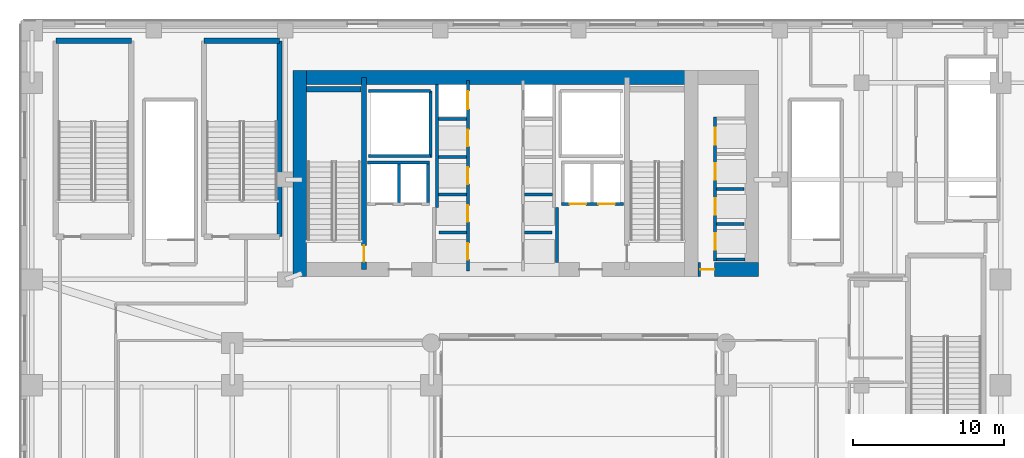
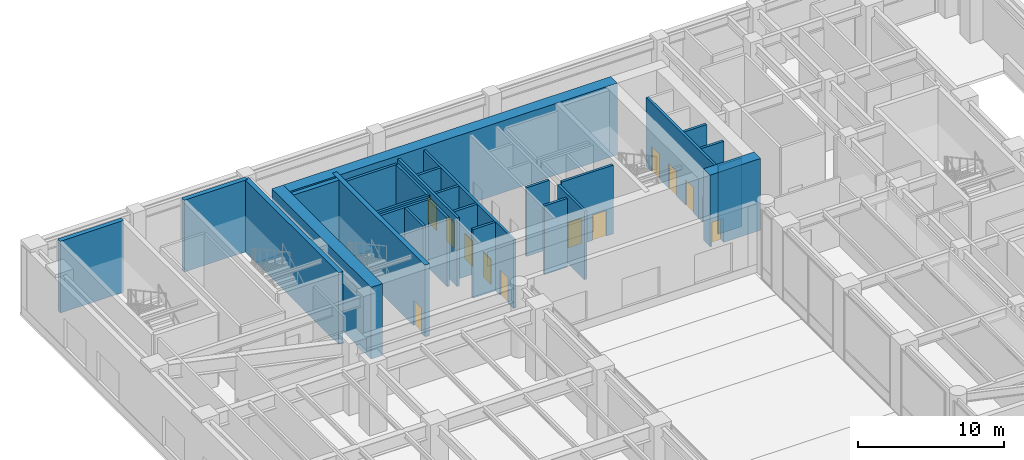
# One storey, part 15 of 28: 28 walls, 13 doors, 13 openings.
"""IFC4 building model written with IfcOpenShell, lengths in metres."""

from ifc_helpers import new_model, si_unit, direction, frame, frame_2d, origin, place, context, subcontext, project, spatial, rectangle, extrude, source, transform, mapped, material, layer, layer_set, type_object, type_shapes, element, fill, save


model = new_model("IFC4")

# Units and contexts
model_context = context("Model", 3, precision=1e-05, world=origin(), true_north=direction((0.0, 1.0)))
body_context = subcontext(model_context, "Body", "Model", "MODEL_VIEW")
ifc_project = project(units=[si_unit("LENGTHUNIT", "METRE"), si_unit("AREAUNIT", "SQUARE_METRE"), si_unit("VOLUMEUNIT", "CUBIC_METRE"), si_unit("PLANEANGLEUNIT", "RADIAN"), si_unit("MASSUNIT", "GRAM", prefix="KILO")], contexts=[model_context])

# Site, building, storey
site_placement = place(None, origin())
site = spatial("IfcSite", under=ifc_project, at=site_placement, CompositionType="ELEMENT")
building_placement = place(site_placement, origin())
building = spatial("IfcBuilding", under=site, at=building_placement, Name="Tolvann Quenvar Hotel", CompositionType="ELEMENT")
storey_placement = place(building_placement, origin())
storey = spatial("IfcBuildingStorey", under=building, at=storey_placement, Name="L00", CompositionType="ELEMENT", Elevation=0.0)

# Walls
ifc_material_1 = material(Name="Concrete S80 (80 MPa)", Category="concrete")
ifc_layer_1 = layer(ifc_material_1, 0.89990234375)
ifc_layer_set_1 = layer_set([ifc_layer_1], Name="Concrete S80 (80 MPa)")
wall_type_1 = type_object("IfcWallType", Name="WALL_CORE_900", PredefinedType="SHEAR", material=ifc_layer_set_1)
wall_1_placement = place(storey_placement, frame((9.60009765625, 44.75, 0.0), z_axis=(0.0, 0.0, 1.0), x_axis=(1.0, 0.0, 0.0)))
element("IfcWall", 1, at=wall_1_placement, inside=storey, type_object=wall_type_1, Name="Rear Core N Shear Wall (L00)", PredefinedType="SHEAR", context=body_context, shape_type="SweptSolid", body=[
    extrude(rectangle(XDim=26.7998046875, YDim=0.89990234375, at=frame_2d((13.39990234375, 0.0))), origin(), (0.0, 0.0, 1.0), 6.0),
])
wall_2_placement = place(storey_placement, frame((10.050048828125, 31.60009765625, 0.0), z_axis=(0.0, 0.0, 1.0), x_axis=(0.0, 1.0, 0.0)))
element("IfcWall", 2, at=wall_2_placement, inside=storey, type_object=wall_type_1, Name="Rear Core W Shear Wall (L00)", PredefinedType="SHEAR", context=body_context, shape_type="SweptSolid", body=[
    extrude(rectangle(XDim=13.599853515625, YDim=0.89990234375, at=frame_2d((6.7998046875, 0.0))), origin(), (0.0, 0.0, 1.0), 6.0),
])

# Wall, opening, door
wall_3_placement = place(storey_placement, frame((36.39990234375, 32.050048828125, 0.0), z_axis=(0.0, 0.0, 1.0), x_axis=(1.0, 0.0, 0.0)))
wall_3 = element("IfcWall", 3, at=wall_3_placement, inside=storey, type_object=wall_type_1, Name="Core East Annex Shear Wall ANN-S (L00)", PredefinedType="SHEAR", context=body_context, shape_type="SweptSolid", body=[
    extrude(rectangle(XDim=4.0, YDim=0.89990234375, at=frame_2d((2.0, 0.0))), origin(), (0.0, 0.0, 1.0), 6.0),
])
opening_1_placement = place(wall_3_placement, frame((1.06982421875, 0.0, 0.0), z_axis=(0.0, 0.0, 1.0), x_axis=(-1.0, 0.0, 0.0)))
opening_1 = element("IfcOpeningElement", 4, at=opening_1_placement, cuts=wall_3, Name="Opening WD-01", PredefinedType="OPENING", context=body_context, shape_type="SweptSolid", body=[
    extrude(rectangle(XDim=0.919921875, YDim=2.010009765625, at=frame_2d((0.4599609375, 1.0048828125))), frame((0.0, 0.4599609375, 0.0), z_axis=(0.0, -1.0, 0.0), x_axis=(1.0, 0.0, 0.0)), (0.0, 0.0, 1.0), 0.919921875),
])
ifc_material_2 = material(Name="Solid-core American oak acoustic fire door leaf in steel frame", Category="steel")
door_type_1 = type_object("IfcDoorType", Name="DOOR_WC_920", OperationType="NOTDEFINED", PredefinedType="DOOR", material=ifc_material_2)
shared_shape_1 = source(origin(), body_context, "Body", "SweptSolid", [
    extrude(rectangle(XDim=0.919921875, YDim=2.010009765625, at=frame_2d((0.4599609375, 1.0048828125))), frame((0.0, 0.02490234375, 0.0), z_axis=(0.0, -1.0, 0.0), x_axis=(1.0, 0.0, 0.0)), (0.0, 0.0, 1.0), 0.050048828125),
])
type_shapes(door_type_1, [shared_shape_1])
door_1_placement = place(opening_1_placement, origin())
door_1 = element("IfcDoor", 5, at=door_1_placement, inside=storey, type_object=door_type_1, Name="Low-Rise Lift Lobby Fire Door (L00)", OperationType="SINGLE_SWING_RIGHT", OverallHeight=2.010009765625, OverallWidth=0.919921875, PredefinedType="DOOR", context=body_context, shape_type="MappedRepresentation", body=[
    mapped(shared_shape_1, transform((0.0, 0.0, 0.0), x_axis=(1.0, 0.0, 0.0), y_axis=(0.0, 1.0, 0.0), z_axis=(0.0, 0.0, 1.0), scale=1.0)),
])
fill(opening_1, door_1)

ifc_material_3 = material(Name="Concrete S65 (65 MPa)", Category="concrete")
ifc_layer_2 = layer(ifc_material_3, 0.35009765625)
ifc_layer_set_2 = layer_set([ifc_layer_2], Name="Concrete S65 (65 MPa)")
wall_type_2 = type_object("IfcWallType", Name="WALL_CORE_INT_350", PredefinedType="SHEAR", material=ifc_layer_set_2)
wall_4_placement = place(storey_placement, frame((14.300048828125, 32.050048828125, 0.0), z_axis=(0.0, 0.0, 1.0), x_axis=(0.0, 1.0, 0.0)))
wall_4 = element("IfcWall", 6, at=wall_4_placement, inside=storey, type_object=wall_type_2, Name="Core Internal Web Shear Wall WEB-W (L00)", PredefinedType="SHEAR", context=body_context, shape_type="SweptSolid", body=[
    extrude(rectangle(XDim=12.699951171875, YDim=0.35009765625, at=frame_2d((6.35009765625, 0.0))), origin(), (0.0, 0.0, 1.0), 6.0),
])
opening_2_placement = place(wall_4_placement, frame((1.60009765625, 0.0, 0.0), z_axis=(0.0, 0.0, 1.0), x_axis=(-1.0, 0.0, 0.0)))
opening_2 = element("IfcOpeningElement", 7, at=opening_2_placement, cuts=wall_4, Name="Opening FD-120", PredefinedType="OPENING", context=body_context, shape_type="SweptSolid", body=[
    extrude(rectangle(XDim=1.10009765625, YDim=2.1201171875, at=frame_2d((0.550048828125, 1.06005859375))), frame((0.0, 0.18505859375, 0.0), z_axis=(0.0, -1.0, 0.0), x_axis=(1.0, 0.0, 0.0)), (0.0, 0.0, 1.0), 0.3701171875),
])
ifc_material_4 = material(Name="Pressed galvanised steel fire-rated door set", Category="steel")
door_type_2 = type_object("IfcDoorType", Name="DOOR_FIRE_STAIR_1100", OperationType="NOTDEFINED", PredefinedType="DOOR", material=ifc_material_4)
shared_shape_2 = source(origin(), body_context, "Body", "SweptSolid", [
    extrude(rectangle(XDim=1.10009765625, YDim=2.1201171875, at=frame_2d((0.550048828125, 1.06005859375))), frame((0.0, 0.02490234375, 0.0), z_axis=(0.0, -1.0, 0.0), x_axis=(1.0, 0.0, 0.0)), (0.0, 0.0, 1.0), 0.050048828125),
])
type_shapes(door_type_2, [shared_shape_2])
door_2_placement = place(opening_2_placement, origin())
door_2 = element("IfcDoor", 8, at=door_2_placement, inside=storey, type_object=door_type_2, Name="Exit Stair ST-C1 Fire Door (L00)", OperationType="SINGLE_SWING_RIGHT", OverallHeight=2.1201171875, OverallWidth=1.10009765625, PredefinedType="DOOR", context=body_context, shape_type="MappedRepresentation", body=[
    mapped(shared_shape_2, transform((0.0, 0.0, 0.0), x_axis=(1.0, 0.0, 0.0), y_axis=(0.0, 1.0, 0.0), z_axis=(0.0, 0.0, 1.0), scale=1.0)),
])
fill(opening_2, door_2)

# Walls
wall_5_placement = place(storey_placement, frame((10.52001953125, 43.97509765625, 0.0), z_axis=(0.0, 0.0, 1.0), x_axis=(1.0, 0.0, 0.0)))
element("IfcWall", 9, at=wall_5_placement, inside=storey, type_object=wall_type_2, Name="Core Stair North Closing Shear Wall STC1-N (L00)", PredefinedType="SHEAR", context=body_context, shape_type="SweptSolid", body=[
    extrude(rectangle(XDim=3.60009765625, YDim=0.35009765625, at=frame_2d((1.800048828125, 0.0))), origin(), (0.0, 0.0, 1.0), 6.0),
])
wall_6_placement = place(storey_placement, frame((-1.074951171875, 47.175048828125, 0.0), z_axis=(0.0, 0.0, 1.0), x_axis=(-1.0, 0.0, 0.0)))
element("IfcWall", 10, at=wall_6_placement, inside=storey, type_object=wall_type_2, Name="Stairwell ST-P1 Structural Shaft Wall N (L00)", PredefinedType="SHEAR", context=body_context, shape_type="SweptSolid", body=[
    extrude(rectangle(XDim=5.0, YDim=0.35009765625, at=frame_2d((2.5, 0.0))), origin(), (0.0, 0.0, 1.0), 6.0),
])
wall_7_placement = place(storey_placement, frame((8.72509765625, 34.22509765625, 0.0), z_axis=(0.0, 0.0, 1.0), x_axis=(0.0, 1.0, 0.0)))
element("IfcWall", 11, at=wall_7_placement, inside=storey, type_object=wall_type_2, Name="Stairwell ST-P2 Structural Shaft Wall E (L00)", PredefinedType="SHEAR", context=body_context, shape_type="SweptSolid", body=[
    extrude(rectangle(XDim=12.949951171875, YDim=0.35009765625, at=frame_2d((6.47509765625, 0.0))), origin(), (0.0, 0.0, 1.0), 6.0),
])
wall_8_placement = place(storey_placement, frame((8.72509765625, 47.175048828125, 0.0), z_axis=(0.0, 0.0, 1.0), x_axis=(-1.0, 0.0, 0.0)))
element("IfcWall", 12, at=wall_8_placement, inside=storey, type_object=wall_type_2, Name="Stairwell ST-P2 Structural Shaft Wall N (L00)", PredefinedType="SHEAR", context=body_context, shape_type="SweptSolid", body=[
    extrude(rectangle(XDim=5.0, YDim=0.35009765625, at=frame_2d((2.5, 0.0))), origin(), (0.0, 0.0, 1.0), 6.0),
])
ifc_material_5 = material(Name="Concrete N40 (40 MPa)", Category="concrete")
ifc_layer_3 = layer(ifc_material_5, 0.199951171875)
ifc_layer_set_3 = layer_set([ifc_layer_3], Name="Concrete N40 (40 MPa)")
wall_type_3 = type_object("IfcWallType", Name="WALL_SHAFT_200", PredefinedType="SOLIDWALL", material=ifc_layer_set_3)
wall_9_placement = place(storey_placement, frame((18.699951171875, 39.449951171875, 0.0), z_axis=(0.0, 0.0, 1.0), x_axis=(0.0, 1.0, 0.0)))
element("IfcWall", 13, at=wall_9_placement, inside=storey, type_object=wall_type_3, Name="Service Riser W Shaft Wall IN (L00)", PredefinedType="SOLIDWALL", context=body_context, shape_type="SweptSolid", body=[
    extrude(rectangle(XDim=4.400146484375, YDim=0.199951171875, at=frame_2d((2.2001953125, 0.0))), origin(), (0.0, 0.0, 1.0), 5.739990234375),
])
for number, where, z_axis, x_axis, name in (
    (14, (14.60009765625, 39.550048828125, 0.0), (0.0, 0.0, 1.0), (1.0, 0.0, 0.0), "Service Riser W Shaft Wall S (L00)"),
    (15, (14.60009765625, 43.85009765625, 0.0), (0.0, 0.0, 1.0), (1.0, 0.0, 0.0), "Service Riser W Shaft Wall N (L00)"),
):
    element("IfcWall", number, at=place(storey_placement, frame(where, z_axis=z_axis, x_axis=x_axis)), inside=storey, type_object=wall_type_3, Name=name, PredefinedType="SOLIDWALL", context=body_context, shape_type="SweptSolid", body=[
        extrude(rectangle(XDim=4.099853515625, YDim=0.199951171875, at=frame_2d((2.0498046875, 0.0))), origin(), (0.0, 0.0, 1.0), 5.739990234375),
    ])
wall_10_placement = place(storey_placement, frame((27.080078125, 32.50390625, 0.0), z_axis=(0.0, 0.0, 1.0), x_axis=(0.0, 1.0, 0.0)))
element("IfcWall", 16, at=wall_10_placement, inside=storey, type_object=wall_type_3, Name="Firefighting Lobby E Inner Fire Wall (L00)", PredefinedType="SOLIDWALL", context=body_context, shape_type="SweptSolid", body=[
    extrude(rectangle(XDim=3.64599609375, YDim=0.199951171875, at=frame_2d((1.822998046875, 0.0))), origin(), (0.0, 0.0, 1.0), 5.739990234375),
])

# Wall, openings, doors
wall_11_placement = place(storey_placement, frame((21.169921875, 31.9599609375, 0.0), z_axis=(0.0, 0.0, 1.0), x_axis=(0.0, 1.0, 0.0)))
wall_11 = element("IfcWall", 17, at=wall_11_placement, inside=storey, type_object=wall_type_3, Name="Lift Bank E21.1C1 Hoistway Front Wall (L00)", PredefinedType="SOLIDWALL", context=body_context, shape_type="SweptSolid", body=[
    extrude(rectangle(XDim=12.580078125, YDim=0.199951171875, at=frame_2d((6.2900390625, 0.0))), origin(), (0.0, 0.0, 1.0), 5.739990234375),
])
opening_3_placement = place(wall_11_placement, frame((0.739990234375, 0.0, 0.0)))
opening_3 = element("IfcOpeningElement", 18, at=opening_3_placement, cuts=wall_11, Name="Opening LD-01", PredefinedType="OPENING", context=body_context, shape_type="SweptSolid", body=[
    extrude(rectangle(XDim=1.10009765625, YDim=2.1201171875, at=frame_2d((0.550048828125, 1.06005859375))), frame((0.0, 0.10986328125, 0.0), z_axis=(0.0, -1.0, 0.0), x_axis=(1.0, 0.0, 0.0)), (0.0, 0.0, 1.0), 0.219970703125),
])
opening_4_placement = place(wall_11_placement, frame((3.239990234375, 0.0, 0.0)))
opening_4 = element("IfcOpeningElement", 19, at=opening_4_placement, cuts=wall_11, Name="Opening LD-01", PredefinedType="OPENING", context=body_context, shape_type="SweptSolid", body=[
    extrude(rectangle(XDim=1.10009765625, YDim=2.1201171875, at=frame_2d((0.550048828125, 1.06005859375))), frame((0.0, 0.10986328125, 0.0), z_axis=(0.0, -1.0, 0.0), x_axis=(1.0, 0.0, 0.0)), (0.0, 0.0, 1.0), 0.219970703125),
])
opening_5_placement = place(wall_11_placement, frame((5.739990234375, 0.0, 0.0)))
opening_5 = element("IfcOpeningElement", 20, at=opening_5_placement, cuts=wall_11, Name="Opening LD-01", PredefinedType="OPENING", context=body_context, shape_type="SweptSolid", body=[
    extrude(rectangle(XDim=1.10009765625, YDim=2.1201171875, at=frame_2d((0.550048828125, 1.06005859375))), frame((0.0, 0.10986328125, 0.0), z_axis=(0.0, -1.0, 0.0), x_axis=(1.0, 0.0, 0.0)), (0.0, 0.0, 1.0), 0.219970703125),
])
opening_6_placement = place(wall_11_placement, frame((8.239990234375, 0.0, 0.0)))
opening_6 = element("IfcOpeningElement", 21, at=opening_6_placement, cuts=wall_11, Name="Opening LD-01", PredefinedType="OPENING", context=body_context, shape_type="SweptSolid", body=[
    extrude(rectangle(XDim=1.10009765625, YDim=2.1201171875, at=frame_2d((0.550048828125, 1.06005859375))), frame((0.0, 0.10986328125, 0.0), z_axis=(0.0, -1.0, 0.0), x_axis=(1.0, 0.0, 0.0)), (0.0, 0.0, 1.0), 0.219970703125),
])
opening_7_placement = place(wall_11_placement, frame((10.68994140625, 0.0, 0.0)))
opening_7 = element("IfcOpeningElement", 22, at=opening_7_placement, cuts=wall_11, Name="Opening LD-02", PredefinedType="OPENING", context=body_context, shape_type="SweptSolid", body=[
    extrude(rectangle(XDim=1.199951171875, YDim=2.14990234375, at=frame_2d((0.60009765625, 1.074951171875))), frame((0.0, 0.10986328125, 0.0), z_axis=(0.0, -1.0, 0.0), x_axis=(1.0, 0.0, 0.0)), (0.0, 0.0, 1.0), 0.219970703125),
])
ifc_material_6 = material(Name="Brushed 316 stainless steel automatic sliding lift landing door", Category="steel")
door_type_3 = type_object("IfcDoorType", Name="DOOR_LIFT_SLIDE_1100", OperationType="NOTDEFINED", PredefinedType="DOOR", material=ifc_material_6)
shared_shape_3 = source(origin(), body_context, "Body", "SweptSolid", [
    extrude(rectangle(XDim=1.10009765625, YDim=2.1201171875, at=frame_2d((0.550048828125, 1.06005859375))), frame((0.0, 0.02490234375, 0.0), z_axis=(0.0, -1.0, 0.0), x_axis=(1.0, 0.0, 0.0)), (0.0, 0.0, 1.0), 0.050048828125),
])
type_shapes(door_type_3, [shared_shape_3])
door_3_placement = place(opening_3_placement, origin())
door_3 = element("IfcDoor", 23, at=door_3_placement, inside=storey, type_object=door_type_3, Name="Lift PH-1 Sliding Landing Door (L00)", OperationType="SLIDING_TO_LEFT", OverallHeight=2.1201171875, OverallWidth=1.10009765625, PredefinedType="DOOR", context=body_context, shape_type="MappedRepresentation", body=[
    mapped(shared_shape_3, transform((0.0, 0.0, 0.0), x_axis=(1.0, 0.0, 0.0), y_axis=(0.0, 1.0, 0.0), z_axis=(0.0, 0.0, 1.0), scale=1.0)),
])
fill(opening_3, door_3)
door_4_placement = place(opening_4_placement, origin())
door_4 = element("IfcDoor", 24, at=door_4_placement, inside=storey, type_object=door_type_3, Name="Lift PH-2 Sliding Landing Door (L00)", OperationType="SLIDING_TO_RIGHT", OverallHeight=2.1201171875, OverallWidth=1.10009765625, PredefinedType="DOOR", context=body_context, shape_type="MappedRepresentation", body=[
    mapped(shared_shape_3, transform((0.0, 0.0, 0.0), x_axis=(1.0, 0.0, 0.0), y_axis=(0.0, 1.0, 0.0), z_axis=(0.0, 0.0, 1.0), scale=1.0)),
])
fill(opening_4, door_4)
door_5_placement = place(opening_5_placement, origin())
door_5 = element("IfcDoor", 25, at=door_5_placement, inside=storey, type_object=door_type_3, Name="Lift PM-1 Sliding Landing Door (L00)", OperationType="SLIDING_TO_RIGHT", OverallHeight=2.1201171875, OverallWidth=1.10009765625, PredefinedType="DOOR", context=body_context, shape_type="MappedRepresentation", body=[
    mapped(shared_shape_3, transform((0.0, 0.0, 0.0), x_axis=(1.0, 0.0, 0.0), y_axis=(0.0, 1.0, 0.0), z_axis=(0.0, 0.0, 1.0), scale=1.0)),
])
fill(opening_5, door_5)
door_6_placement = place(opening_6_placement, origin())
door_6 = element("IfcDoor", 26, at=door_6_placement, inside=storey, type_object=door_type_3, Name="Lift PM-2 Sliding Landing Door (L00)", OperationType="SLIDING_TO_LEFT", OverallHeight=2.1201171875, OverallWidth=1.10009765625, PredefinedType="DOOR", context=body_context, shape_type="MappedRepresentation", body=[
    mapped(shared_shape_3, transform((0.0, 0.0, 0.0), x_axis=(1.0, 0.0, 0.0), y_axis=(0.0, 1.0, 0.0), z_axis=(0.0, 0.0, 1.0), scale=1.0)),
])
fill(opening_6, door_6)
door_type_4 = type_object("IfcDoorType", Name="DOOR_LIFT_OBS_1200", OperationType="NOTDEFINED", PredefinedType="DOOR", material=ifc_material_6)
shared_shape_4 = source(origin(), body_context, "Body", "SweptSolid", [
    extrude(rectangle(XDim=1.199951171875, YDim=2.14990234375, at=frame_2d((0.60009765625, 1.074951171875))), frame((0.0, 0.02490234375, 0.0), z_axis=(0.0, -1.0, 0.0), x_axis=(1.0, 0.0, 0.0)), (0.0, 0.0, 1.0), 0.050048828125),
])
type_shapes(door_type_4, [shared_shape_4])
door_7_placement = place(opening_7_placement, origin())
door_7 = element("IfcDoor", 27, at=door_7_placement, inside=storey, type_object=door_type_4, Name="Lift OB-1 Sliding Landing Door (L00)", OperationType="SLIDING_TO_RIGHT", OverallHeight=2.14990234375, OverallWidth=1.199951171875, PredefinedType="DOOR", context=body_context, shape_type="MappedRepresentation", body=[
    mapped(shared_shape_4, transform((0.0, 0.0, 0.0), x_axis=(1.0, 0.0, 0.0), y_axis=(0.0, 1.0, 0.0), z_axis=(0.0, 0.0, 1.0), scale=1.0)),
])
fill(opening_7, door_7)

# Walls
wall_12_placement = place(storey_placement, frame((19.1298828125, 36.159912109375, 0.0), z_axis=(0.0, 0.0, 1.0), x_axis=(0.0, 1.0, 0.0)))
element("IfcWall", 28, at=wall_12_placement, inside=storey, type_object=wall_type_3, Name="Lift Bank E21.1C1 Hoistway Rear Wall (L00)", PredefinedType="SOLIDWALL", context=body_context, shape_type="SweptSolid", body=[
    extrude(rectangle(XDim=8.135986328125, YDim=0.199951171875, at=frame_2d((4.06787109375, 0.0))), origin(), (0.0, 0.0, 1.0), 5.739990234375),
])
wall_13_placement = place(storey_placement, frame((19.27001953125, 34.5, 0.0), z_axis=(0.0, 0.0, 1.0), x_axis=(1.0, 0.0, 0.0)))
element("IfcWall", 29, at=wall_13_placement, inside=storey, type_object=wall_type_3, Name="Lift Bank E21.1C1 Divider Wall 1 (L00)", PredefinedType="SOLIDWALL", context=body_context, shape_type="SweptSolid", body=[
    extrude(rectangle(XDim=1.800048828125, YDim=0.199951171875, at=frame_2d((0.89990234375, 0.0))), origin(), (0.0, 0.0, 1.0), 5.739990234375),
])
for number, where, z_axis, x_axis, name in (
    (30, (19.22998046875, 37.0, 0.0), (0.0, 0.0, 1.0), (1.0, 0.0, 0.0), "Lift Bank E21.1C1 Divider Wall 2 (L00)"),
    (31, (19.22998046875, 39.5, 0.0), (0.0, 0.0, 1.0), (1.0, 0.0, 0.0), "Lift Bank E21.1C1 Divider Wall 3 (L00)"),
    (32, (19.22998046875, 42.0, 0.0), (0.0, 0.0, 1.0), (1.0, 0.0, 0.0), "Lift Bank E21.1C1 Divider Wall 4 (L00)"),
):
    element("IfcWall", number, at=place(storey_placement, frame(where, z_axis=z_axis, x_axis=x_axis)), inside=storey, type_object=wall_type_3, Name=name, PredefinedType="SOLIDWALL", context=body_context, shape_type="SweptSolid", body=[
        extrude(rectangle(XDim=1.840087890625, YDim=0.199951171875, at=frame_2d((0.919921875, 0.0))), origin(), (0.0, 0.0, 1.0), 5.739990234375),
    ])

# Wall, openings, doors
wall_14_placement = place(storey_placement, frame((27.375, 36.3798828125, 0.0), z_axis=(0.0, 0.0, 1.0), x_axis=(1.0, 0.0, 0.0)))
wall_14 = element("IfcWall", 33, at=wall_14_placement, inside=storey, type_object=wall_type_3, Name="Lift Bank SEC1 Hoistway Front Wall (L00)", PredefinedType="SOLIDWALL", context=body_context, shape_type="SweptSolid", body=[
    extrude(rectangle(XDim=4.074951171875, YDim=0.199951171875, at=frame_2d((2.03759765625, 0.0))), origin(), (0.0, 0.0, 1.0), 5.739990234375),
])
opening_8_placement = place(wall_14_placement, frame((0.52490234375, 0.0, 0.0)))
opening_8 = element("IfcOpeningElement", 34, at=opening_8_placement, cuts=wall_14, Name="Opening LD-01", PredefinedType="OPENING", context=body_context, shape_type="SweptSolid", body=[
    extrude(rectangle(XDim=1.10009765625, YDim=2.1201171875, at=frame_2d((0.550048828125, 1.06005859375))), frame((0.0, 0.10986328125, 0.0), z_axis=(0.0, -1.0, 0.0), x_axis=(1.0, 0.0, 0.0)), (0.0, 0.0, 1.0), 0.219970703125),
])
opening_9_placement = place(wall_14_placement, frame((2.425048828125, 0.0, 0.0)))
opening_9 = element("IfcOpeningElement", 35, at=opening_9_placement, cuts=wall_14, Name="Opening LD-01", PredefinedType="OPENING", context=body_context, shape_type="SweptSolid", body=[
    extrude(rectangle(XDim=1.10009765625, YDim=2.1201171875, at=frame_2d((0.550048828125, 1.06005859375))), frame((0.0, 0.10986328125, 0.0), z_axis=(0.0, -1.0, 0.0), x_axis=(1.0, 0.0, 0.0)), (0.0, 0.0, 1.0), 0.219970703125),
])
door_8_placement = place(opening_8_placement, origin())
door_8 = element("IfcDoor", 36, at=door_8_placement, inside=storey, type_object=door_type_3, Name="Lift SV-2 Sliding Landing Door (L00)", OperationType="SLIDING_TO_LEFT", OverallHeight=2.1201171875, OverallWidth=1.10009765625, PredefinedType="DOOR", context=body_context, shape_type="MappedRepresentation", body=[
    mapped(shared_shape_3, transform((0.0, 0.0, 0.0), x_axis=(1.0, 0.0, 0.0), y_axis=(0.0, 1.0, 0.0), z_axis=(0.0, 0.0, 1.0), scale=1.0)),
])
fill(opening_8, door_8)
door_9_placement = place(opening_9_placement, origin())
door_9 = element("IfcDoor", 37, at=door_9_placement, inside=storey, type_object=door_type_3, Name="Lift FF-2 Sliding Landing Door (L00)", OperationType="SLIDING_TO_RIGHT", OverallHeight=2.1201171875, OverallWidth=1.10009765625, PredefinedType="DOOR", context=body_context, shape_type="MappedRepresentation", body=[
    mapped(shared_shape_3, transform((0.0, 0.0, 0.0), x_axis=(1.0, 0.0, 0.0), y_axis=(0.0, 1.0, 0.0), z_axis=(0.0, 0.0, 1.0), scale=1.0)),
])
fill(opening_9, door_9)

# Walls
wall_15_placement = place(storey_placement, frame((14.550048828125, 39.1201171875, 0.0), z_axis=(0.0, 0.0, 1.0), x_axis=(1.0, 0.0, 0.0)))
element("IfcWall", 38, at=wall_15_placement, inside=storey, type_object=wall_type_3, Name="Lift Bank SWC1 Hoistway Rear Wall (L00)", PredefinedType="SOLIDWALL", context=body_context, shape_type="SweptSolid", body=[
    extrude(rectangle(XDim=4.074951171875, YDim=0.199951171875, at=frame_2d((2.03759765625, 0.0))), origin(), (0.0, 0.0, 1.0), 5.739990234375),
])
for number, where, z_axis, x_axis, name in (
    (39, (18.52490234375, 36.47998046875, 0.0), (0.0, 0.0, 1.0), (0.0, 1.0, 0.0), "Lift Bank SWC1 Hoistway Cheek Wall 2 (L00)"),
    (40, (16.612548828125, 36.47998046875, 0.0), (0.0, 0.0, 1.0), (0.0, 1.0, 0.0), "Lift Bank SWC1 Divider Wall 1 (L00)"),
):
    element("IfcWall", number, at=place(storey_placement, frame(where, z_axis=z_axis, x_axis=x_axis)), inside=storey, type_object=wall_type_3, Name=name, PredefinedType="SOLIDWALL", context=body_context, shape_type="SweptSolid", body=[
        extrude(rectangle(XDim=2.5400390625, YDim=0.199951171875, at=frame_2d((1.27001953125, 0.0))), origin(), (0.0, 0.0, 1.0), 5.739990234375),
    ])
wall_16_placement = place(storey_placement, frame((24.929931640625, 34.5, 0.0), z_axis=(0.0, 0.0, 1.0), x_axis=(1.0, 0.0, 0.0)))
element("IfcWall", 41, at=wall_16_placement, inside=storey, type_object=wall_type_3, Name="Lift Bank W24.9C1 Divider Wall 1 (L00)", PredefinedType="SOLIDWALL", context=body_context, shape_type="SweptSolid", body=[
    extrude(rectangle(XDim=1.800048828125, YDim=0.199951171875, at=frame_2d((0.89990234375, 0.0))), origin(), (0.0, 0.0, 1.0), 5.739990234375),
])
wall_17_placement = place(storey_placement, frame((24.929931640625, 37.0, 0.0), z_axis=(0.0, 0.0, 1.0), x_axis=(1.0, 0.0, 0.0)))
element("IfcWall", 42, at=wall_17_placement, inside=storey, type_object=wall_type_3, Name="Lift Bank W24.9C1 Divider Wall 2 (L00)", PredefinedType="SOLIDWALL", context=body_context, shape_type="SweptSolid", body=[
    extrude(rectangle(XDim=1.840087890625, YDim=0.199951171875, at=frame_2d((0.919921875, 0.0))), origin(), (0.0, 0.0, 1.0), 5.739990234375),
])

# Wall, openings, doors
wall_18_placement = place(storey_placement, frame((37.530029296875, 32.610107421875, 0.0), z_axis=(0.0, 0.0, 1.0), x_axis=(0.0, 1.0, 0.0)))
wall_18 = element("IfcWall", 43, at=wall_18_placement, inside=storey, type_object=wall_type_3, Name="Lift Bank W37.6C1 Hoistway Front Wall (L00)", PredefinedType="SOLIDWALL", context=body_context, shape_type="SweptSolid", body=[
    extrude(rectangle(XDim=9.539794921875, YDim=0.199951171875, at=frame_2d((4.77001953125, 0.0))), origin(), (0.0, 0.0, 1.0), 5.739990234375),
])
opening_10_placement = place(wall_18_placement, frame((0.739990234375, 0.0, 0.0)))
opening_10 = element("IfcOpeningElement", 44, at=opening_10_placement, cuts=wall_18, Name="Opening LD-01", PredefinedType="OPENING", context=body_context, shape_type="SweptSolid", body=[
    extrude(rectangle(XDim=1.10009765625, YDim=2.1201171875, at=frame_2d((0.550048828125, 1.06005859375))), frame((0.0, 0.10986328125, 0.0), z_axis=(0.0, -1.0, 0.0), x_axis=(1.0, 0.0, 0.0)), (0.0, 0.0, 1.0), 0.219970703125),
])
opening_11_placement = place(wall_18_placement, frame((3.06005859375, 0.0, 0.0)))
opening_11 = element("IfcOpeningElement", 45, at=opening_11_placement, cuts=wall_18, Name="Opening LD-01", PredefinedType="OPENING", context=body_context, shape_type="SweptSolid", body=[
    extrude(rectangle(XDim=1.10009765625, YDim=2.1201171875, at=frame_2d((0.550048828125, 1.06005859375))), frame((0.0, 0.10986328125, 0.0), z_axis=(0.0, -1.0, 0.0), x_axis=(1.0, 0.0, 0.0)), (0.0, 0.0, 1.0), 0.219970703125),
])
opening_12_placement = place(wall_18_placement, frame((5.3798828125, 0.0, 0.0)))
opening_12 = element("IfcOpeningElement", 46, at=opening_12_placement, cuts=wall_18, Name="Opening LD-01", PredefinedType="OPENING", context=body_context, shape_type="SweptSolid", body=[
    extrude(rectangle(XDim=1.10009765625, YDim=2.1201171875, at=frame_2d((0.550048828125, 1.06005859375))), frame((0.0, 0.10986328125, 0.0), z_axis=(0.0, -1.0, 0.0), x_axis=(1.0, 0.0, 0.0)), (0.0, 0.0, 1.0), 0.219970703125),
])
opening_13_placement = place(wall_18_placement, frame((7.699951171875, 0.0, 0.0)))
opening_13 = element("IfcOpeningElement", 47, at=opening_13_placement, cuts=wall_18, Name="Opening LD-01", PredefinedType="OPENING", context=body_context, shape_type="SweptSolid", body=[
    extrude(rectangle(XDim=1.10009765625, YDim=2.1201171875, at=frame_2d((0.550048828125, 1.06005859375))), frame((0.0, 0.10986328125, 0.0), z_axis=(0.0, -1.0, 0.0), x_axis=(1.0, 0.0, 0.0)), (0.0, 0.0, 1.0), 0.219970703125),
])
door_10_placement = place(opening_10_placement, origin())
door_10 = element("IfcDoor", 48, at=door_10_placement, inside=storey, type_object=door_type_3, Name="Lift PL-1 Sliding Landing Door (L00)", OperationType="SLIDING_TO_LEFT", OverallHeight=2.1201171875, OverallWidth=1.10009765625, PredefinedType="DOOR", context=body_context, shape_type="MappedRepresentation", body=[
    mapped(shared_shape_3, transform((0.0, 0.0, 0.0), x_axis=(1.0, 0.0, 0.0), y_axis=(0.0, 1.0, 0.0), z_axis=(0.0, 0.0, 1.0), scale=1.0)),
])
fill(opening_10, door_10)
door_11_placement = place(opening_11_placement, origin())
door_11 = element("IfcDoor", 49, at=door_11_placement, inside=storey, type_object=door_type_3, Name="Lift PL-2 Sliding Landing Door (L00)", OperationType="SLIDING_TO_RIGHT", OverallHeight=2.1201171875, OverallWidth=1.10009765625, PredefinedType="DOOR", context=body_context, shape_type="MappedRepresentation", body=[
    mapped(shared_shape_3, transform((0.0, 0.0, 0.0), x_axis=(1.0, 0.0, 0.0), y_axis=(0.0, 1.0, 0.0), z_axis=(0.0, 0.0, 1.0), scale=1.0)),
])
fill(opening_11, door_11)
door_12_placement = place(opening_12_placement, origin())
door_12 = element("IfcDoor", 50, at=door_12_placement, inside=storey, type_object=door_type_3, Name="Lift PL-3 Sliding Landing Door (L00)", OperationType="SLIDING_TO_LEFT", OverallHeight=2.1201171875, OverallWidth=1.10009765625, PredefinedType="DOOR", context=body_context, shape_type="MappedRepresentation", body=[
    mapped(shared_shape_3, transform((0.0, 0.0, 0.0), x_axis=(1.0, 0.0, 0.0), y_axis=(0.0, 1.0, 0.0), z_axis=(0.0, 0.0, 1.0), scale=1.0)),
])
fill(opening_12, door_12)
door_13_placement = place(opening_13_placement, origin())
door_13 = element("IfcDoor", 51, at=door_13_placement, inside=storey, type_object=door_type_3, Name="Lift PL-4 Sliding Landing Door (L00)", OperationType="SLIDING_TO_RIGHT", OverallHeight=2.1201171875, OverallWidth=1.10009765625, PredefinedType="DOOR", context=body_context, shape_type="MappedRepresentation", body=[
    mapped(shared_shape_3, transform((0.0, 0.0, 0.0), x_axis=(1.0, 0.0, 0.0), y_axis=(0.0, 1.0, 0.0), z_axis=(0.0, 0.0, 1.0), scale=1.0)),
])
fill(opening_13, door_13)

# Walls
wall_19_placement = place(storey_placement, frame((37.6298828125, 32.7099609375, 0.0), z_axis=(0.0, 0.0, 1.0), x_axis=(1.0, 0.0, 0.0)))
element("IfcWall", 52, at=wall_19_placement, inside=storey, type_object=wall_type_3, Name="Lift Bank W37.6C1 Hoistway Cheek Wall 1 (L00)", PredefinedType="SOLIDWALL", context=body_context, shape_type="SweptSolid", body=[
    extrude(rectangle(XDim=1.8701171875, YDim=0.199951171875, at=frame_2d((0.93505859375, 0.0))), origin(), (0.0, 0.0, 1.0), 5.739990234375),
])
for number, where, z_axis, x_axis, name in (
    (53, (37.6298828125, 35.06005859375, 0.0), (0.0, 0.0, 1.0), (1.0, 0.0, 0.0), "Lift Bank W37.6C1 Divider Wall 1 (L00)"),
    (54, (37.6298828125, 37.3798828125, 0.0), (0.0, 0.0, 1.0), (1.0, 0.0, 0.0), "Lift Bank W37.6C1 Divider Wall 2 (L00)"),
):
    element("IfcWall", number, at=place(storey_placement, frame(where, z_axis=z_axis, x_axis=x_axis)), inside=storey, type_object=wall_type_3, Name=name, PredefinedType="SOLIDWALL", context=body_context, shape_type="SweptSolid", body=[
        extrude(rectangle(XDim=1.800048828125, YDim=0.199951171875, at=frame_2d((0.89990234375, 0.0))), origin(), (0.0, 0.0, 1.0), 5.739990234375),
    ])

save(model, "model.ifc")
